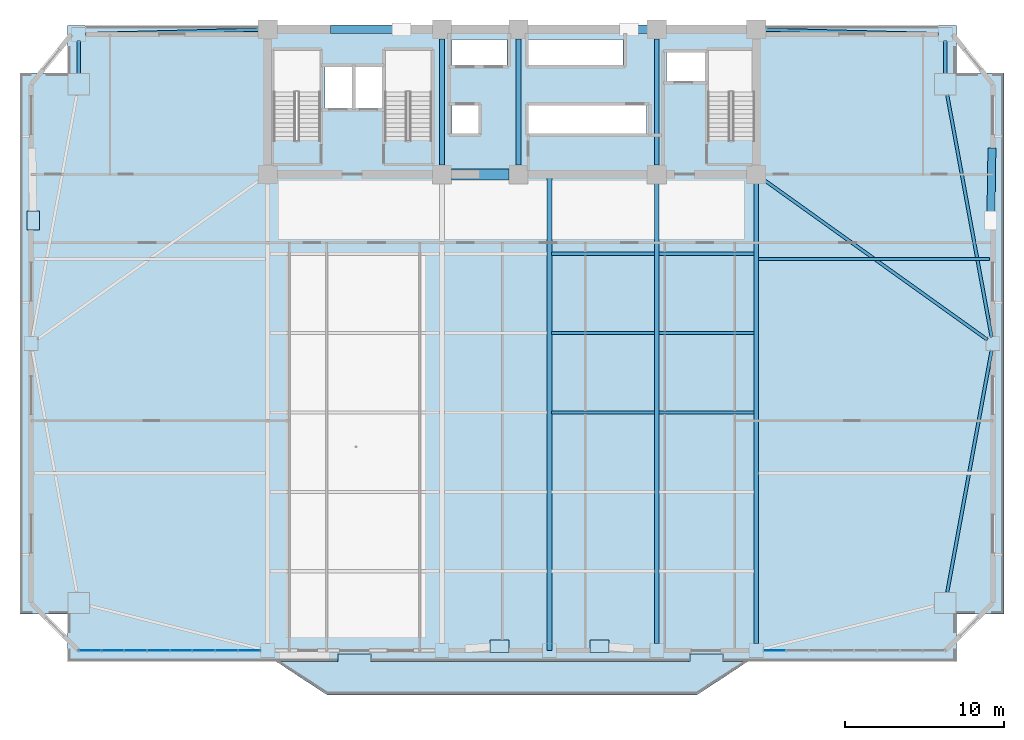
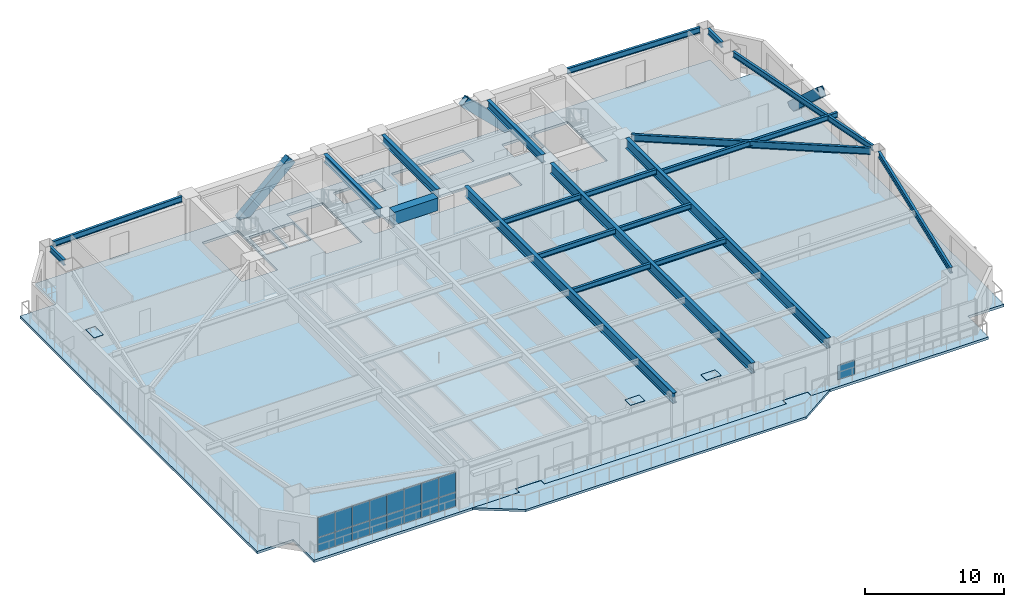
# One storey, part 6 of 15: 21 beams, 20 plates, 3 members, 2 slabs, 2 elements without a shape of their own.
"""IFC4 building model written with IfcOpenShell, lengths in metres."""

from ifc_helpers import new_model, si_unit, direction, frame, origin, origin_2d, place, context, subcontext, project, spatial, polyline, rectangle, hollow_rectangle, i_section, outline, extrude, source, transform, mapped, material, layer, layer_set, material_profile, profile_set, type_object, element, aggregate, save


model = new_model("IFC4")

# Units and contexts
model_context = context("Model", 3, precision=1e-05, world=origin(), true_north=direction((0.0, 1.0)))
body_context = subcontext(model_context, "Body", "Model", "MODEL_VIEW")
ifc_project = project(units=[si_unit("LENGTHUNIT", "METRE"), si_unit("AREAUNIT", "SQUARE_METRE"), si_unit("VOLUMEUNIT", "CUBIC_METRE"), si_unit("PLANEANGLEUNIT", "RADIAN"), si_unit("MASSUNIT", "GRAM", prefix="KILO")], contexts=[model_context])

# Site, building, storey
site_placement = place(None, origin())
site = spatial("IfcSite", under=ifc_project, at=site_placement, CompositionType="ELEMENT")
building_placement = place(site_placement, origin())
building = spatial("IfcBuilding", under=site, at=building_placement, Name="Giltprow Tower", CompositionType="ELEMENT")
storey_placement = place(building_placement, frame((0.0, 0.0, 127.0)))
storey = spatial("IfcBuildingStorey", under=building, at=storey_placement, Name="L31", CompositionType="ELEMENT", Elevation=127.0)

# Beams
ifc_material_1 = material(Name="Concrete C60", Category="concrete")
ifc_material_profile_1 = material_profile(ifc_material_1, rectangle(XDim=0.699951171875, YDim=1.10009765625, at=origin_2d()), Name="RC 1100x700")
ifc_profile_set_1 = profile_set([ifc_material_profile_1], Name="Concrete C60")
beam_type_1 = type_object("IfcBeamType", Name="BM-CPL-RC1100", PredefinedType="LINTEL", material=ifc_profile_set_1)
shared_shape_1 = source(origin(), body_context, "Body", "SweptSolid", [
    extrude(rectangle(XDim=0.699951171875, YDim=1.10009765625, at=origin_2d()), origin(), (0.0, 0.0, 1.0), 3.6298828125),
])
beam_1_placement = place(storey_placement, frame((31.385009765625, 37.449951171875, 3.090087890625), z_axis=(1.0, 0.0, 0.0), x_axis=(0.0, 1.0, 0.0)))
element("IfcBeam", 1, at=beam_1_placement, inside=storey, type_object=beam_type_1, Name="L31 Core Coupling Beam CB-1", PredefinedType="LINTEL", context=body_context, shape_type="MappedRepresentation", body=[
    mapped(shared_shape_1, transform((0.0, 0.0, 0.0), x_axis=(1.0, 0.0, 0.0), y_axis=(0.0, 1.0, 0.0), z_axis=(0.0, 0.0, 1.0), scale=1.0)),
])
ifc_material_2 = material(Name="Structural steel Q355B", Category="steel")
ifc_material_profile_2 = material_profile(ifc_material_2, i_section(OverallWidth=0.300048828125, OverallDepth=0.699951171875, WebThickness=0.012939453125, FlangeThickness=0.02392578125, at=origin_2d()), Name="HN 700x300x13x24")
ifc_profile_set_2 = profile_set([ifc_material_profile_2], Name="Structural steel Q355B")
beam_type_2 = type_object("IfcBeamType", Name="BM-GIRD-HN700", PredefinedType="BEAM", material=ifc_profile_set_2)
shared_shape_2 = source(origin(), body_context, "Body", "SweptSolid", [
    extrude(i_section(OverallWidth=0.300048828125, OverallDepth=0.699951171875, WebThickness=0.012939453125, FlangeThickness=0.02392578125, at=origin_2d()), origin(), (0.0, 0.0, 1.0), 7.93017578125),
])
for number, where, z_axis, x_axis, name in (
    (2, (30.800048828125, 38.034912109375, 3.2900390625), (0.0, 1.0, 0.0), (-1.0, 0.0, 0.0), "L31 Core Tie Girder M1"),
    (3, (35.60009765625, 38.034912109375, 3.2900390625), (0.0, 1.0, 0.0), (-1.0, 0.0, 0.0), "L31 Core Tie Girder M2"),
    (4, (44.300048828125, 38.034912109375, 3.2900390625), (0.0, 1.0, 0.0), (-1.0, 0.0, 0.0), "L31 Core Tie Girder M3"),
):
    element("IfcBeam", number, at=place(storey_placement, frame(where, z_axis=z_axis, x_axis=x_axis)), inside=storey, type_object=beam_type_2, Name=name, PredefinedType="BEAM", context=body_context, shape_type="MappedRepresentation", body=[
        mapped(shared_shape_2, transform((0.0, 0.0, 0.0), x_axis=(1.0, 0.0, 0.0), y_axis=(0.0, 1.0, 0.0), z_axis=(0.0, 0.0, 1.0), scale=1.0)),
    ])
ifc_material_profile_3 = material_profile(ifc_material_2, i_section(OverallWidth=0.199951171875, OverallDepth=0.449951171875, WebThickness=0.009033203125, FlangeThickness=0.013916015625, at=origin_2d()), Name="HN 450x200x9x14")
ifc_profile_set_3 = profile_set([ifc_material_profile_3], Name="Structural steel Q355B")
beam_type_3 = type_object("IfcBeamType", Name="BM-JOIST-HN450", PredefinedType="JOIST", material=ifc_profile_set_3)
shared_shape_3 = source(origin(), body_context, "Body", "SweptSolid", [
    extrude(i_section(OverallWidth=0.199951171875, OverallDepth=0.449951171875, WebThickness=0.009033203125, FlangeThickness=0.013916015625, at=origin_2d()), origin(), (0.0, 0.0, 1.0), 6.4599609375),
])
for number, where, z_axis, x_axis, name in (
    (5, (37.695068359375, 22.48388671875, 3.4150390625), (1.0, 0.0, 0.0), (0.0, 1.0, 0.0), "L31 Composite Floor Joist 3-3"),
    (6, (37.695068359375, 27.472900390625, 3.4150390625), (1.0, 0.0, 0.0), (0.0, 1.0, 0.0), "L31 Composite Floor Joist 4-3"),
    (7, (37.695068359375, 32.4609375, 3.4150390625), (1.0, 0.0, 0.0), (0.0, 1.0, 0.0), "L31 Composite Floor Joist 5-3"),
):
    element("IfcBeam", number, at=place(storey_placement, frame(where, z_axis=z_axis, x_axis=x_axis)), inside=storey, type_object=beam_type_3, Name=name, PredefinedType="JOIST", context=body_context, shape_type="MappedRepresentation", body=[
        mapped(shared_shape_3, transform((0.0, 0.0, 0.0), x_axis=(1.0, 0.0, 0.0), y_axis=(0.0, 1.0, 0.0), z_axis=(0.0, 0.0, 1.0), scale=1.0)),
    ])
shared_shape_4 = source(origin(), body_context, "Body", "SweptSolid", [
    extrude(i_section(OverallWidth=0.199951171875, OverallDepth=0.449951171875, WebThickness=0.009033203125, FlangeThickness=0.013916015625, at=origin_2d()), origin(), (0.0, 0.0, 1.0), 5.9599609375),
])
for number, where, z_axis, x_axis, name in (
    (8, (44.445068359375, 22.48388671875, 3.4150390625), (1.0, 0.0, 0.0), (0.0, 1.0, 0.0), "L31 Composite Floor Joist 3-4"),
    (9, (44.445068359375, 27.472900390625, 3.4150390625), (1.0, 0.0, 0.0), (0.0, 1.0, 0.0), "L31 Composite Floor Joist 4-4"),
    (10, (44.445068359375, 32.4609375, 3.4150390625), (1.0, 0.0, 0.0), (0.0, 1.0, 0.0), "L31 Composite Floor Joist 5-4"),
):
    element("IfcBeam", number, at=place(storey_placement, frame(where, z_axis=z_axis, x_axis=x_axis)), inside=storey, type_object=beam_type_3, Name=name, PredefinedType="JOIST", context=body_context, shape_type="MappedRepresentation", body=[
        mapped(shared_shape_4, transform((0.0, 0.0, 0.0), x_axis=(1.0, 0.0, 0.0), y_axis=(0.0, 1.0, 0.0), z_axis=(0.0, 0.0, 1.0), scale=1.0)),
    ])
ifc_material_profile_4 = material_profile(ifc_material_2, i_section(OverallWidth=0.199951171875, OverallDepth=0.5, WebThickness=0.010009765625, FlangeThickness=0.01611328125, at=origin_2d()), Name="HN 500x200x10x16")
ifc_profile_set_4 = profile_set([ifc_material_profile_4], Name="Structural steel Q355B")
beam_type_4 = type_object("IfcBeamType", Name="BM-SPAN-HN500", PredefinedType="SPANDREL", material=ifc_profile_set_4)
shared_shape_5 = source(origin(), body_context, "Body", "SweptSolid", [
    extrude(i_section(OverallWidth=0.199951171875, OverallDepth=0.5, WebThickness=0.010009765625, FlangeThickness=0.01611328125, at=origin_2d()), origin(), (0.0, 0.0, 1.0), 15.45166015625),
])
for number, where, z_axis, x_axis, name in (
    (11, (62.553955078125, 11.18310546875, 3.389892578125), (0.180439714117, 0.983586045839, 0.0), (-0.983586045839, 0.180439714117, 0.0), "L31 Perimeter Spandrel Beam MC_SE-E_MID"),
    (12, (65.342041015625, 27.237060546875, 3.389892578125), (-0.180439714117, 0.983586045839, 0.0), (-0.983586045839, -0.180439714117, 0.0), "L31 Perimeter Spandrel Beam E_MID-MC_NE"),
):
    element("IfcBeam", number, at=place(storey_placement, frame(where, z_axis=z_axis, x_axis=x_axis)), inside=storey, type_object=beam_type_4, Name=name, PredefinedType="SPANDREL", context=body_context, shape_type="MappedRepresentation", body=[
        mapped(shared_shape_5, transform((0.0, 0.0, 0.0), x_axis=(1.0, 0.0, 0.0), y_axis=(0.0, 1.0, 0.0), z_axis=(0.0, 0.0, 1.0), scale=1.0)),
    ])
shared_shape_6 = source(origin(), body_context, "Body", "SweptSolid", [
    extrude(i_section(OverallWidth=0.199951171875, OverallDepth=0.5, WebThickness=0.010009765625, FlangeThickness=0.01611328125, at=origin_2d()), origin(), (0.0, 0.0, 1.0), 2.02099609375),
])
for number, where, z_axis, x_axis, name in (
    (13, (62.429931640625, 43.7939453125, 3.389892578125), (0.0, 1.0, 0.0), (-1.0, 0.0, 0.0), "L31 Perimeter Spandrel Beam MC_NE-N_E"),
    (14, (7.969970703125, 45.81494140625, 3.389892578125), (0.0, -1.0, 0.0), (1.0, 0.0, 0.0), "L31 Perimeter Spandrel Beam N_W-MC_NW"),
):
    element("IfcBeam", number, at=place(storey_placement, frame(where, z_axis=z_axis, x_axis=x_axis)), inside=storey, type_object=beam_type_4, Name=name, PredefinedType="SPANDREL", context=body_context, shape_type="MappedRepresentation", body=[
        mapped(shared_shape_6, transform((0.0, 0.0, 0.0), x_axis=(1.0, 0.0, 0.0), y_axis=(0.0, 1.0, 0.0), z_axis=(0.0, 0.0, 1.0), scale=1.0)),
    ])
shared_shape_7 = source(origin(), body_context, "Body", "SweptSolid", [
    extrude(i_section(OverallWidth=0.199951171875, OverallDepth=0.5, WebThickness=0.010009765625, FlangeThickness=0.01611328125, at=origin_2d()), origin(), (0.0, 0.0, 1.0), 10.86328125),
])
beam_2_placement = place(storey_placement, frame((8.405029296875, 46.260986328125, 3.389892578125), z_axis=(0.99968203455, 0.025215665725, 0.0), x_axis=(-0.025215665725, 0.99968203455, 0.0)))
element("IfcBeam", 15, at=beam_2_placement, inside=storey, type_object=beam_type_4, Name="L31 North Wing Spandrel W", PredefinedType="SPANDREL", context=body_context, shape_type="MappedRepresentation", body=[
    mapped(shared_shape_7, transform((0.0, 0.0, 0.0), x_axis=(1.0, 0.0, 0.0), y_axis=(0.0, 1.0, 0.0), z_axis=(0.0, 0.0, 1.0), scale=1.0)),
])
shared_shape_8 = source(origin(), body_context, "Body", "SweptSolid", [
    extrude(i_section(OverallWidth=0.199951171875, OverallDepth=0.5, WebThickness=0.010009765625, FlangeThickness=0.01611328125, at=origin_2d()), origin(), (0.0, 0.0, 1.0), 10.863525390625),
])
beam_3_placement = place(storey_placement, frame((51.135009765625, 46.534912109375, 3.389892578125), z_axis=(0.999682048839, -0.025215099224, 0.0), x_axis=(0.025215099224, 0.999682048839, 0.0)))
element("IfcBeam", 16, at=beam_3_placement, inside=storey, type_object=beam_type_4, Name="L31 North Wing Spandrel E", PredefinedType="SPANDREL", context=body_context, shape_type="MappedRepresentation", body=[
    mapped(shared_shape_8, transform((0.0, 0.0, 0.0), x_axis=(1.0, 0.0, 0.0), y_axis=(0.0, 1.0, 0.0), z_axis=(0.0, 0.0, 1.0), scale=1.0)),
])
ifc_material_profile_5 = material_profile(ifc_material_2, i_section(OverallWidth=0.300048828125, OverallDepth=0.89990234375, WebThickness=0.01611328125, FlangeThickness=0.028076171875, at=origin_2d()), Name="HN 900x300x16x28")
ifc_profile_set_5 = profile_set([ifc_material_profile_5], Name="Structural steel Q355B")
beam_type_5 = type_object("IfcBeamType", Name="BM-GIRD-HN900", PredefinedType="BEAM", material=ifc_profile_set_5)
shared_shape_9 = source(origin(), body_context, "Body", "SweptSolid", [
    extrude(i_section(OverallWidth=0.300048828125, OverallDepth=0.89990234375, WebThickness=0.01611328125, FlangeThickness=0.028076171875, at=origin_2d()), origin(), (0.0, 0.0, 1.0), 28.912109375),
])
for number, where, z_axis, x_axis, name in (
    (17, (44.300048828125, 7.952880859375, 3.18994140625), (0.0, 1.0, 0.0), (-1.0, 0.0, 0.0), "L31 Primary Lease Girder S3"),
    (18, (50.550048828125, 7.952880859375, 3.18994140625), (0.0, 1.0, 0.0), (-1.0, 0.0, 0.0), "L31 Primary Lease Girder S4"),
):
    element("IfcBeam", number, at=place(storey_placement, frame(where, z_axis=z_axis, x_axis=x_axis)), inside=storey, type_object=beam_type_5, Name=name, PredefinedType="BEAM", context=body_context, shape_type="MappedRepresentation", body=[
        mapped(shared_shape_9, transform((0.0, 0.0, 0.0), x_axis=(1.0, 0.0, 0.0), y_axis=(0.0, 1.0, 0.0), z_axis=(0.0, 0.0, 1.0), scale=1.0)),
    ])
shared_shape_10 = source(origin(), body_context, "Body", "SweptSolid", [
    extrude(i_section(OverallWidth=0.300048828125, OverallDepth=0.89990234375, WebThickness=0.01611328125, FlangeThickness=0.028076171875, at=origin_2d()), origin(), (0.0, 0.0, 1.0), 29.931884765625),
])
beam_4_placement = place(storey_placement, frame((37.550048828125, 7.51806640625, 3.18994140625), z_axis=(0.0, 1.0, 0.0), x_axis=(-1.0, 0.0, 0.0)))
element("IfcBeam", 19, at=beam_4_placement, inside=storey, type_object=beam_type_5, Name="L31 Central Lease Girder SMID", PredefinedType="BEAM", context=body_context, shape_type="MappedRepresentation", body=[
    mapped(shared_shape_10, transform((0.0, 0.0, 0.0), x_axis=(1.0, 0.0, 0.0), y_axis=(0.0, 1.0, 0.0), z_axis=(0.0, 0.0, 1.0), scale=1.0)),
])
ifc_material_profile_6 = material_profile(ifc_material_2, i_section(OverallWidth=0.199951171875, OverallDepth=0.60009765625, WebThickness=0.010986328125, FlangeThickness=0.01708984375, at=origin_2d()), Name="HN 600x200x11x17")
ifc_profile_set_6 = profile_set([ifc_material_profile_6], Name="Structural steel Q355B")
beam_type_6 = type_object("IfcBeamType", Name="BM-GIRD-HN600", PredefinedType="BEAM", material=ifc_profile_set_6)
shared_shape_11 = source(origin(), body_context, "Body", "SweptSolid", [
    extrude(i_section(OverallWidth=0.199951171875, OverallDepth=0.60009765625, WebThickness=0.010986328125, FlangeThickness=0.01708984375, at=origin_2d()), origin(), (0.0, 0.0, 1.0), 17.265869140625),
])
beam_5_placement = place(storey_placement, frame((65.06689453125, 27.06201171875, 3.340087890625), z_axis=(-0.813218189266, 0.581958913194, 0.0), x_axis=(-0.581958913194, -0.813218189266, 0.0)))
element("IfcBeam", 20, at=beam_5_placement, inside=storey, type_object=beam_type_6, Name="L31 East Wing Primary Girder", PredefinedType="BEAM", context=body_context, shape_type="MappedRepresentation", body=[
    mapped(shared_shape_11, transform((0.0, 0.0, 0.0), x_axis=(1.0, 0.0, 0.0), y_axis=(0.0, 1.0, 0.0), z_axis=(0.0, 0.0, 1.0), scale=1.0)),
])
shared_shape_12 = source(origin(), body_context, "Body", "SweptSolid", [
    extrude(i_section(OverallWidth=0.199951171875, OverallDepth=0.449951171875, WebThickness=0.009033203125, FlangeThickness=0.013916015625, at=origin_2d()), origin(), (0.0, 0.0, 1.0), 14.505859375),
])
beam_6_placement = place(storey_placement, frame((50.695068359375, 32.1298828125, 3.4150390625), z_axis=(1.0, 0.0, 0.0), x_axis=(0.0, 1.0, 0.0)))
element("IfcBeam", 21, at=beam_6_placement, inside=storey, type_object=beam_type_3, Name="L31 East Wing Floor Joist 2", PredefinedType="JOIST", context=body_context, shape_type="MappedRepresentation", body=[
    mapped(shared_shape_12, transform((0.0, 0.0, 0.0), x_axis=(1.0, 0.0, 0.0), y_axis=(0.0, 1.0, 0.0), z_axis=(0.0, 0.0, 1.0), scale=1.0)),
])

# Members
ifc_material_3 = material(Name="Structural steel Q420GJC", Category="steel")
ifc_material_profile_7 = material_profile(ifc_material_3, hollow_rectangle(XDim=0.5, YDim=0.800048828125, WallThickness=0.035888671875, at=origin_2d()), Name="RHS 800x500x36")
ifc_profile_set_7 = profile_set([ifc_material_profile_7], Name="Structural steel Q420GJC")
member_type = type_object("IfcMemberType", Name="MBR-MEGA-RHS800", PredefinedType="BRACE", material=ifc_profile_set_7)
shared_shape_13 = source(origin(), body_context, "Body", "SweptSolid", [
    extrude(hollow_rectangle(XDim=0.5, YDim=0.800048828125, WallThickness=0.035888671875, at=origin_2d()), origin(), (0.0, 0.0, 1.0), 5.736572265625),
])
member_1_placement = place(storey_placement, frame((24.056884765625, 46.550048828125, -0.139892578125), z_axis=(0.733369227224, 0.0, 0.679830549888), x_axis=(0.0, 1.0, 0.0)))
element("IfcMember", 22, at=member_1_placement, inside=storey, type_object=member_type, Name="L31 Chevron Mega-Brace N-L", PredefinedType="BRACE", context=body_context, shape_type="MappedRepresentation", body=[
    mapped(shared_shape_13, transform((0.0, 0.0, 0.0), x_axis=(1.0, 0.0, 0.0), y_axis=(0.0, 1.0, 0.0), z_axis=(0.0, 0.0, 1.0), scale=1.0)),
])
shared_shape_14 = source(origin(), body_context, "Body", "SweptSolid", [
    extrude(hollow_rectangle(XDim=0.5, YDim=0.800048828125, WallThickness=0.035888671875, at=origin_2d()), origin(), (0.0, 0.0, 1.0), 5.79345703125),
])
member_2_placement = place(storey_placement, frame((65.35791015625, 38.824951171875, 0.0), z_axis=(-0.010872124811, -0.739430907186, 0.673144657856), x_axis=(0.999891923007, -0.014701779001, 0.0)))
element("IfcMember", 23, at=member_2_placement, inside=storey, type_object=member_type, Name="L31 Chevron Mega-Brace E-R", PredefinedType="BRACE", context=body_context, shape_type="MappedRepresentation", body=[
    mapped(shared_shape_14, transform((0.0, 0.0, 0.0), x_axis=(1.0, 0.0, 0.0), y_axis=(0.0, 1.0, 0.0), z_axis=(0.0, 0.0, 1.0), scale=1.0)),
])
shared_shape_15 = source(origin(), body_context, "Body", "SweptSolid", [
    extrude(hollow_rectangle(XDim=0.5, YDim=0.800048828125, WallThickness=0.035888671875, at=origin_2d()), origin(), (0.0, 0.0, 1.0), 5.582275390625),
])
member_3_placement = place(storey_placement, frame((46.556884765625, 46.550048828125, -0.139892578125), z_axis=(-0.715475821542, 0.0, 0.698637494548), x_axis=(0.0, -1.0, 0.0)))
element("IfcMember", 24, at=member_3_placement, inside=storey, type_object=member_type, Name="L31 Chevron Mega-Brace N-R", PredefinedType="BRACE", context=body_context, shape_type="MappedRepresentation", body=[
    mapped(shared_shape_15, transform((0.0, 0.0, 0.0), x_axis=(1.0, 0.0, 0.0), y_axis=(0.0, 1.0, 0.0), z_axis=(0.0, 0.0, 1.0), scale=1.0)),
])

# Slabs
ifc_material_4 = material(Name="Concrete C40", Category="concrete")
ifc_layer_1 = layer(ifc_material_4, 0.199951171875, Name="Concrete C40")
ifc_layer_set_1 = layer_set([ifc_layer_1], Name="Concrete C40")
slab_type_1 = type_object("IfcSlabType", Name="SLB-BALC-BRONZE-200", PredefinedType="FLOOR", material=ifc_layer_set_1)
slab_1_placement = place(storey_placement, frame((0.0, 0.0, -0.199951171875)))
element("IfcSlab", 25, at=slab_1_placement, inside=storey, type_object=slab_type_1, Name="L31 Bronze Prow Waterfront Balcony Slab", PredefinedType="FLOOR", context=body_context, shape_type="SweptSolid", body=[
    extrude(outline(polyline([(50.0, 6.818115234375), (46.800048828125, 4.718017578125), (23.60009765625, 4.718017578125), (20.39990234375, 6.818115234375), (24.280029296875, 6.818115234375), (24.280029296875, 7.318115234375), (26.320068359375, 7.318115234375), (26.320068359375, 6.818115234375), (46.3798828125, 6.818115234375), (46.3798828125, 7.318115234375), (48.419921875, 7.318115234375), (48.419921875, 6.818115234375), (50.0, 6.818115234375)])), origin(), (0.0, 0.0, 1.0), 0.199951171875),
])
ifc_layer_2 = layer(ifc_material_4, 0.219970703125, Name="Concrete C40")
ifc_layer_set_2 = layer_set([ifc_layer_2], Name="Concrete C40")
slab_type_2 = type_object("IfcSlabType", Name="SLB-OFF-220", PredefinedType="FLOOR", material=ifc_layer_set_2)
slab_2_placement = place(storey_placement, frame((0.0, 0.0, -0.219970703125)))
element("IfcSlab", 26, at=slab_2_placement, inside=storey, type_object=slab_type_2, Name="L31 Structural Composite Floor Slab", PredefinedType="FLOOR", context=body_context, shape_type="SweptSolid", body=[
    extrude(outline(polyline([(7.27001953125, 6.818115234375), (7.27001953125, 9.80908203125), (4.279052734375, 9.80908203125), (4.279052734375, 43.80908203125), (7.27001953125, 43.80908203125), (7.27001953125, 46.800048828125), (63.1298828125, 46.800048828125), (63.1298828125, 43.80908203125), (66.12109375, 43.80908203125), (66.12109375, 9.80908203125), (63.1298828125, 9.80908203125), (63.1298828125, 6.818115234375), (48.449951171875, 6.818115234375), (48.449951171875, 7.337890625), (46.35009765625, 7.337890625), (46.35009765625, 6.818115234375), (26.35009765625, 6.818115234375), (26.35009765625, 7.337890625), (24.25, 7.337890625), (24.25, 6.818115234375), (7.27001953125, 6.818115234375)]), holes=[polyline([(33.10009765625, 41.800048828125), (31.419921875, 41.800048828125), (31.419921875, 40.0), (33.10009765625, 40.0), (33.10009765625, 41.800048828125)]), polyline([(23.159912109375, 39.570068359375), (23.159912109375, 45.25), (20.199951171875, 45.25), (20.199951171875, 39.570068359375), (23.159912109375, 39.570068359375)]), polyline([(30.159912109375, 45.25), (27.199951171875, 45.25), (27.199951171875, 39.570068359375), (30.159912109375, 39.570068359375), (30.159912109375, 45.25)]), polyline([(25.169921875, 41.60009765625), (25.169921875, 44.199951171875), (23.449951171875, 44.199951171875), (23.449951171875, 41.60009765625), (25.169921875, 41.60009765625)]), polyline([(27.10009765625, 41.60009765625), (27.10009765625, 44.199951171875), (25.35009765625, 44.199951171875), (25.35009765625, 41.60009765625), (27.10009765625, 41.60009765625)]), polyline([(43.659912109375, 40.0), (43.659912109375, 41.800048828125), (36.239990234375, 41.800048828125), (36.239990234375, 40.0), (43.659912109375, 40.0)]), polyline([(50.4599609375, 39.570068359375), (50.4599609375, 45.25), (47.5, 45.25), (47.5, 39.570068359375), (50.4599609375, 39.570068359375)]), polyline([(47.3798828125, 45.10009765625), (44.919921875, 45.10009765625), (44.919921875, 43.300048828125), (47.3798828125, 43.300048828125), (47.3798828125, 45.10009765625)]), polyline([(34.8798828125, 44.300048828125), (34.8798828125, 45.919921875), (31.419921875, 45.919921875), (31.419921875, 44.300048828125), (34.8798828125, 44.300048828125)]), polyline([(42.169921875, 44.300048828125), (42.169921875, 45.919921875), (36.239990234375, 45.919921875), (36.239990234375, 44.300048828125), (42.169921875, 44.300048828125)])]), origin(), (0.0, 0.0, 1.0), 0.219970703125),
])

# Plates
plate_type_1 = type_object("IfcPlateType", Name="PLT-CAP-SEAL", PredefinedType="USERDEFINED", material=ifc_material_3)
shared_shape_16 = source(origin(), body_context, "Body", "SweptSolid", [
    extrude(rectangle(XDim=1.199951171875, YDim=0.800048828125, at=origin_2d()), origin(), (0.0, 0.0, 1.0), 0.034912109375),
])
for number, where, z_axis, x_axis, name in (
    (27, (34.406005859375, 7.800048828125, 3.88232421875), (0.0, 0.0, 1.0), (1.0, 0.0, 0.0), "Mega-Brace Node L31-S-LB"),
    (28, (40.694091796875, 7.800048828125, 3.88232421875), (0.0, 0.0, 1.0), (1.0, 0.0, 0.0), "Mega-Brace Node L31-S-RB"),
    (29, (5.10498046875, 34.541015625, 3.88232421875), (0.0, 0.0, 1.0), (0.0, 1.0, 0.0), "Mega-Brace Node L31-W-RB"),
):
    element("IfcPlate", number, at=place(storey_placement, frame(where, z_axis=z_axis, x_axis=x_axis)), inside=storey, type_object=plate_type_1, Name=name, ObjectType="SPLICE", PredefinedType="USERDEFINED", context=body_context, shape_type="MappedRepresentation", body=[
        mapped(shared_shape_16, transform((0.0, 0.0, 0.0), x_axis=(1.0, 0.0, 0.0), y_axis=(0.0, 1.0, 0.0), z_axis=(0.0, 0.0, 1.0), scale=1.0)),
    ])

# Curtain wall, plates
ifc_material_5 = material(Name="Anodized bronze", Category="metal")
ifc_layer_3 = layer(ifc_material_5, 0.179931640625, Name="Anodized bronze")
ifc_layer_set_3 = layer_set([ifc_layer_3], Name="Anodized bronze")
curtain_wall_type = type_object("IfcCurtainWallType", Name="CW-OFF-RECESSED", PredefinedType="NOTDEFINED", material=ifc_layer_set_3)
curtain_wall_1_placement = place(storey_placement, origin())
curtain_wall_1 = element("IfcCurtainWall", 30, at=curtain_wall_1_placement, inside=storey, type_object=curtain_wall_type, Name="L31 South Recessed Curtain Wall 1", PredefinedType="NOTDEFINED")
ifc_material_6 = material(Name="Insulated glass", Category="glass")
plate_type_2 = type_object("IfcPlateType", Name="CW-PANEL-IGU-28", PredefinedType="CURTAIN_PANEL", material=ifc_material_6)
shared_shape_17 = source(origin(), body_context, "Body", "SweptSolid", [
    extrude(rectangle(XDim=1.39892578125, YDim=0.028076171875, at=origin_2d()), origin(), (0.0, 0.0, 1.0), 1.241943359375),
])
plate_1_placement = place(storey_placement, frame((8.68408203125, 7.51806640625, 0.05419921875), z_axis=(0.0, 0.0, 1.0), x_axis=(1.0, 0.0, 0.0)))
plate_1 = element("IfcPlate", 31, at=plate_1_placement, type_object=plate_type_2, Name="L31 South Recessed Curtain Wall 1 Glazing Panel 1-1", PredefinedType="CURTAIN_PANEL", context=body_context, shape_type="MappedRepresentation", body=[
    mapped(shared_shape_17, transform((0.0, 0.0, 0.0), x_axis=(1.0, 0.0, 0.0), y_axis=(0.0, 1.0, 0.0), z_axis=(0.0, 0.0, 1.0), scale=1.0)),
])
plate_2_placement = place(storey_placement, frame((10.113037109375, 7.51806640625, 0.05419921875), z_axis=(0.0, 0.0, 1.0), x_axis=(1.0, 0.0, 0.0)))
plate_2 = element("IfcPlate", 32, at=plate_2_placement, type_object=plate_type_2, Name="L31 South Recessed Curtain Wall 1 Glazing Panel 2-1", PredefinedType="CURTAIN_PANEL", context=body_context, shape_type="MappedRepresentation", body=[
    mapped(shared_shape_17, transform((0.0, 0.0, 0.0), x_axis=(1.0, 0.0, 0.0), y_axis=(0.0, 1.0, 0.0), z_axis=(0.0, 0.0, 1.0), scale=1.0)),
])
plate_3_placement = place(storey_placement, frame((11.5419921875, 7.51806640625, 0.05419921875), z_axis=(0.0, 0.0, 1.0), x_axis=(1.0, 0.0, 0.0)))
plate_3 = element("IfcPlate", 33, at=plate_3_placement, type_object=plate_type_2, Name="L31 South Recessed Curtain Wall 1 Glazing Panel 3-1", PredefinedType="CURTAIN_PANEL", context=body_context, shape_type="MappedRepresentation", body=[
    mapped(shared_shape_17, transform((0.0, 0.0, 0.0), x_axis=(1.0, 0.0, 0.0), y_axis=(0.0, 1.0, 0.0), z_axis=(0.0, 0.0, 1.0), scale=1.0)),
])
plate_4_placement = place(storey_placement, frame((12.970947265625, 7.51806640625, 0.05419921875), z_axis=(0.0, 0.0, 1.0), x_axis=(1.0, 0.0, 0.0)))
plate_4 = element("IfcPlate", 34, at=plate_4_placement, type_object=plate_type_2, Name="L31 South Recessed Curtain Wall 1 Glazing Panel 4-1", PredefinedType="CURTAIN_PANEL", context=body_context, shape_type="MappedRepresentation", body=[
    mapped(shared_shape_17, transform((0.0, 0.0, 0.0), x_axis=(1.0, 0.0, 0.0), y_axis=(0.0, 1.0, 0.0), z_axis=(0.0, 0.0, 1.0), scale=1.0)),
])
plate_5_placement = place(storey_placement, frame((14.39892578125, 7.51806640625, 0.05419921875), z_axis=(0.0, 0.0, 1.0), x_axis=(1.0, 0.0, 0.0)))
plate_5 = element("IfcPlate", 35, at=plate_5_placement, type_object=plate_type_2, Name="L31 South Recessed Curtain Wall 1 Glazing Panel 5-1", PredefinedType="CURTAIN_PANEL", context=body_context, shape_type="MappedRepresentation", body=[
    mapped(shared_shape_17, transform((0.0, 0.0, 0.0), x_axis=(1.0, 0.0, 0.0), y_axis=(0.0, 1.0, 0.0), z_axis=(0.0, 0.0, 1.0), scale=1.0)),
])
plate_6_placement = place(storey_placement, frame((15.827880859375, 7.51806640625, 0.05419921875), z_axis=(0.0, 0.0, 1.0), x_axis=(1.0, 0.0, 0.0)))
plate_6 = element("IfcPlate", 36, at=plate_6_placement, type_object=plate_type_2, Name="L31 South Recessed Curtain Wall 1 Glazing Panel 6-1", PredefinedType="CURTAIN_PANEL", context=body_context, shape_type="MappedRepresentation", body=[
    mapped(shared_shape_17, transform((0.0, 0.0, 0.0), x_axis=(1.0, 0.0, 0.0), y_axis=(0.0, 1.0, 0.0), z_axis=(0.0, 0.0, 1.0), scale=1.0)),
])
plate_7_placement = place(storey_placement, frame((17.257080078125, 7.51806640625, 0.05419921875), z_axis=(0.0, 0.0, 1.0), x_axis=(1.0, 0.0, 0.0)))
plate_7 = element("IfcPlate", 37, at=plate_7_placement, type_object=plate_type_2, Name="L31 South Recessed Curtain Wall 1 Glazing Panel 7-1", PredefinedType="CURTAIN_PANEL", context=body_context, shape_type="MappedRepresentation", body=[
    mapped(shared_shape_17, transform((0.0, 0.0, 0.0), x_axis=(1.0, 0.0, 0.0), y_axis=(0.0, 1.0, 0.0), z_axis=(0.0, 0.0, 1.0), scale=1.0)),
])
plate_8_placement = place(storey_placement, frame((18.68603515625, 7.51806640625, 0.05419921875), z_axis=(0.0, 0.0, 1.0), x_axis=(1.0, 0.0, 0.0)))
plate_8 = element("IfcPlate", 38, at=plate_8_placement, type_object=plate_type_2, Name="L31 South Recessed Curtain Wall 1 Glazing Panel 8-1", PredefinedType="CURTAIN_PANEL", context=body_context, shape_type="MappedRepresentation", body=[
    mapped(shared_shape_17, transform((0.0, 0.0, 0.0), x_axis=(1.0, 0.0, 0.0), y_axis=(0.0, 1.0, 0.0), z_axis=(0.0, 0.0, 1.0), scale=1.0)),
])

# Curtain wall, plate
curtain_wall_2_placement = place(storey_placement, origin())
curtain_wall_2 = element("IfcCurtainWall", 39, at=curtain_wall_2_placement, inside=storey, type_object=curtain_wall_type, Name="L31 South Recessed Curtain Wall 6", PredefinedType="NOTDEFINED")
plate_9_placement = place(storey_placement, frame((51.714111328125, 7.51806640625, 0.05419921875), z_axis=(0.0, 0.0, 1.0), x_axis=(1.0, 0.0, 0.0)))
plate_9 = element("IfcPlate", 40, at=plate_9_placement, type_object=plate_type_2, Name="L31 South Recessed Curtain Wall 6 Glazing Panel 1-1", PredefinedType="CURTAIN_PANEL", context=body_context, shape_type="MappedRepresentation", body=[
    mapped(shared_shape_17, transform((0.0, 0.0, 0.0), x_axis=(1.0, 0.0, 0.0), y_axis=(0.0, 1.0, 0.0), z_axis=(0.0, 0.0, 1.0), scale=1.0)),
])
aggregate(curtain_wall_2, [plate_9])

# Plate
shared_shape_18 = source(origin(), body_context, "Body", "SweptSolid", [
    extrude(rectangle(XDim=1.39892578125, YDim=0.028076171875, at=origin_2d()), origin(), (0.0, 0.0, 1.0), 1.741943359375),
])
plate_10_placement = place(storey_placement, frame((8.68408203125, 7.51806640625, 1.32421875), z_axis=(0.0, 0.0, 1.0), x_axis=(1.0, 0.0, 0.0)))
plate_10 = element("IfcPlate", 41, at=plate_10_placement, type_object=plate_type_2, Name="L31 South Recessed Curtain Wall 1 Glazing Panel 1-2", PredefinedType="CURTAIN_PANEL", context=body_context, shape_type="MappedRepresentation", body=[
    mapped(shared_shape_18, transform((0.0, 0.0, 0.0), x_axis=(1.0, 0.0, 0.0), y_axis=(0.0, 1.0, 0.0), z_axis=(0.0, 0.0, 1.0), scale=1.0)),
])

plate_11_placement = place(storey_placement, frame((10.113037109375, 7.51806640625, 1.32421875), z_axis=(0.0, 0.0, 1.0), x_axis=(1.0, 0.0, 0.0)))
plate_11 = element("IfcPlate", 42, at=plate_11_placement, type_object=plate_type_2, Name="L31 South Recessed Curtain Wall 1 Glazing Panel 2-2", PredefinedType="CURTAIN_PANEL", context=body_context, shape_type="MappedRepresentation", body=[
    mapped(shared_shape_18, transform((0.0, 0.0, 0.0), x_axis=(1.0, 0.0, 0.0), y_axis=(0.0, 1.0, 0.0), z_axis=(0.0, 0.0, 1.0), scale=1.0)),
])

plate_12_placement = place(storey_placement, frame((11.5419921875, 7.51806640625, 1.32421875), z_axis=(0.0, 0.0, 1.0), x_axis=(1.0, 0.0, 0.0)))
plate_12 = element("IfcPlate", 43, at=plate_12_placement, type_object=plate_type_2, Name="L31 South Recessed Curtain Wall 1 Glazing Panel 3-2", PredefinedType="CURTAIN_PANEL", context=body_context, shape_type="MappedRepresentation", body=[
    mapped(shared_shape_18, transform((0.0, 0.0, 0.0), x_axis=(1.0, 0.0, 0.0), y_axis=(0.0, 1.0, 0.0), z_axis=(0.0, 0.0, 1.0), scale=1.0)),
])

plate_13_placement = place(storey_placement, frame((12.970947265625, 7.51806640625, 1.32421875), z_axis=(0.0, 0.0, 1.0), x_axis=(1.0, 0.0, 0.0)))
plate_13 = element("IfcPlate", 44, at=plate_13_placement, type_object=plate_type_2, Name="L31 South Recessed Curtain Wall 1 Glazing Panel 4-2", PredefinedType="CURTAIN_PANEL", context=body_context, shape_type="MappedRepresentation", body=[
    mapped(shared_shape_18, transform((0.0, 0.0, 0.0), x_axis=(1.0, 0.0, 0.0), y_axis=(0.0, 1.0, 0.0), z_axis=(0.0, 0.0, 1.0), scale=1.0)),
])

plate_14_placement = place(storey_placement, frame((14.39892578125, 7.51806640625, 1.32421875), z_axis=(0.0, 0.0, 1.0), x_axis=(1.0, 0.0, 0.0)))
plate_14 = element("IfcPlate", 45, at=plate_14_placement, type_object=plate_type_2, Name="L31 South Recessed Curtain Wall 1 Glazing Panel 5-2", PredefinedType="CURTAIN_PANEL", context=body_context, shape_type="MappedRepresentation", body=[
    mapped(shared_shape_18, transform((0.0, 0.0, 0.0), x_axis=(1.0, 0.0, 0.0), y_axis=(0.0, 1.0, 0.0), z_axis=(0.0, 0.0, 1.0), scale=1.0)),
])

plate_15_placement = place(storey_placement, frame((15.827880859375, 7.51806640625, 1.32421875), z_axis=(0.0, 0.0, 1.0), x_axis=(1.0, 0.0, 0.0)))
plate_15 = element("IfcPlate", 46, at=plate_15_placement, type_object=plate_type_2, Name="L31 South Recessed Curtain Wall 1 Glazing Panel 6-2", PredefinedType="CURTAIN_PANEL", context=body_context, shape_type="MappedRepresentation", body=[
    mapped(shared_shape_18, transform((0.0, 0.0, 0.0), x_axis=(1.0, 0.0, 0.0), y_axis=(0.0, 1.0, 0.0), z_axis=(0.0, 0.0, 1.0), scale=1.0)),
])

plate_16_placement = place(storey_placement, frame((17.257080078125, 7.51806640625, 1.32421875), z_axis=(0.0, 0.0, 1.0), x_axis=(1.0, 0.0, 0.0)))
plate_16 = element("IfcPlate", 47, at=plate_16_placement, type_object=plate_type_2, Name="L31 South Recessed Curtain Wall 1 Glazing Panel 7-2", PredefinedType="CURTAIN_PANEL", context=body_context, shape_type="MappedRepresentation", body=[
    mapped(shared_shape_18, transform((0.0, 0.0, 0.0), x_axis=(1.0, 0.0, 0.0), y_axis=(0.0, 1.0, 0.0), z_axis=(0.0, 0.0, 1.0), scale=1.0)),
])

plate_17_placement = place(storey_placement, frame((18.68603515625, 7.51806640625, 1.32421875), z_axis=(0.0, 0.0, 1.0), x_axis=(1.0, 0.0, 0.0)))
plate_17 = element("IfcPlate", 48, at=plate_17_placement, type_object=plate_type_2, Name="L31 South Recessed Curtain Wall 1 Glazing Panel 8-2", PredefinedType="CURTAIN_PANEL", context=body_context, shape_type="MappedRepresentation", body=[
    mapped(shared_shape_18, transform((0.0, 0.0, 0.0), x_axis=(1.0, 0.0, 0.0), y_axis=(0.0, 1.0, 0.0), z_axis=(0.0, 0.0, 1.0), scale=1.0)),
])

aggregate(curtain_wall_1, [plate_1, plate_10, plate_2, plate_11, plate_3, plate_12, plate_4, plate_13, plate_5, plate_14, plate_6, plate_15, plate_7, plate_16, plate_8, plate_17])

save(model, "model.ifc")
